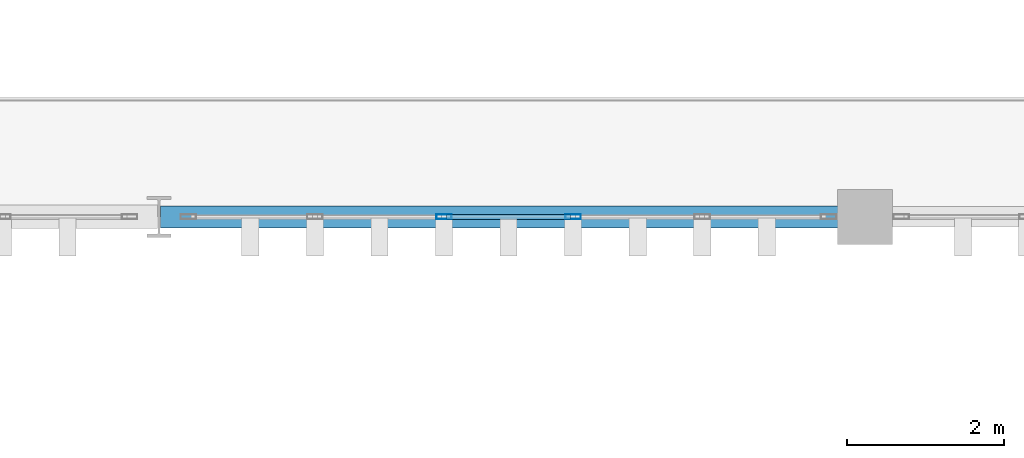
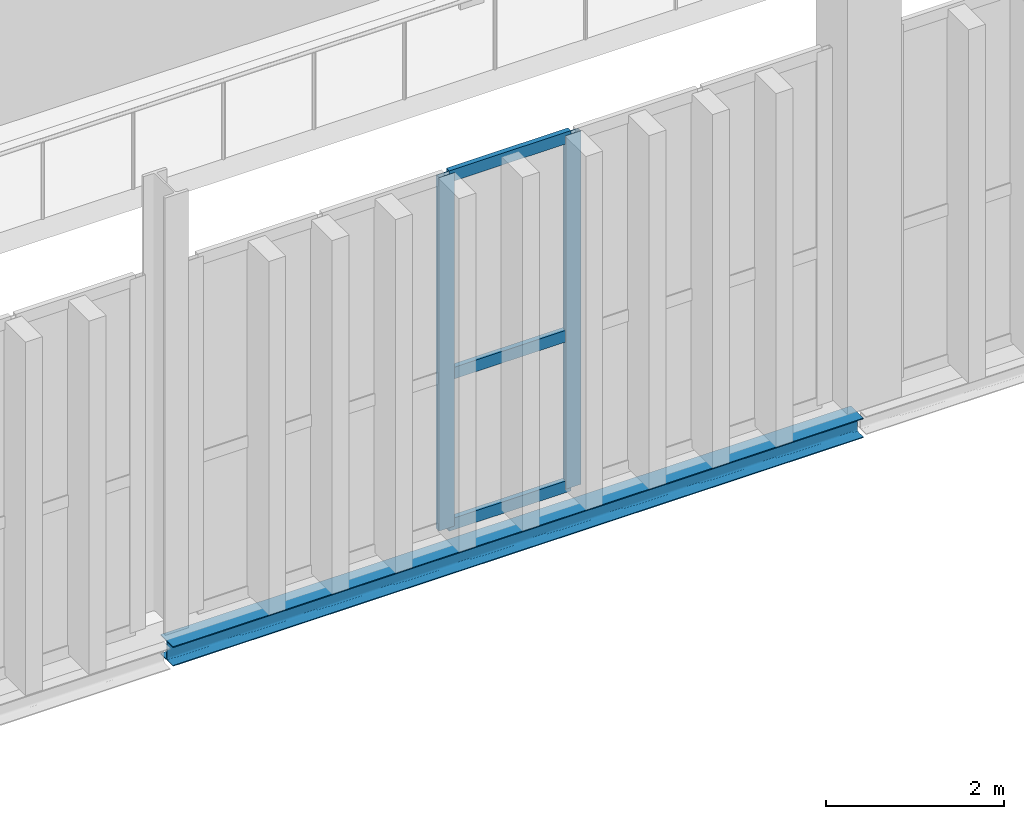
# One storey, part 81 of 237: 5 members, 1 beam, 1 element without a shape of its own.
"""IFC4 building model written with IfcOpenShell, lengths in metres."""

from ifc_helpers import new_model, si_unit, direction, frame, origin, origin_2d, place, context, subcontext, project, spatial, hollow_rectangle, i_section, extrude, material, layer, layer_set, material_profile, profile_set, type_object, element, aggregate, save


model = new_model("IFC4")

# Units and contexts
model_context = context("Model", 3, precision=1e-05, world=origin(), true_north=direction((0.0, 1.0)))
body_context = subcontext(model_context, "Body", "Model", "MODEL_VIEW")
ifc_project = project(units=[si_unit("LENGTHUNIT", "METRE"), si_unit("AREAUNIT", "SQUARE_METRE"), si_unit("VOLUMEUNIT", "CUBIC_METRE"), si_unit("PLANEANGLEUNIT", "RADIAN"), si_unit("MASSUNIT", "GRAM", prefix="KILO")], contexts=[model_context])

# Site, building, storey
site_placement = place(None, origin())
site = spatial("IfcSite", under=ifc_project, at=site_placement, CompositionType="ELEMENT")
building_placement = place(site_placement, origin())
building = spatial("IfcBuilding", under=site, at=building_placement, Name="Barlavento Convention Centre", CompositionType="ELEMENT")
storey_placement = place(building_placement, frame((0.0, 0.0, 12.0)))
storey = spatial("IfcBuildingStorey", under=building, at=storey_placement, Name="L02", CompositionType="ELEMENT", Elevation=12.0)

# Curtain wall, members
ifc_material_1 = material(Name="Powder-coated aluminium and Low-E glass", Category="aluminium")
ifc_layer = layer(ifc_material_1, 0.195068359375)
ifc_layer_set = layer_set([ifc_layer], Name="ARC-CW-BALL-L02")
curtain_wall_type = type_object("IfcCurtainWallType", Name="ARC-CW-BALL-L02", PredefinedType="NOTDEFINED", material=ifc_layer_set)
curtain_wall_placement = place(storey_placement, origin())
curtain_wall = element("IfcCurtainWall", 1, at=curtain_wall_placement, inside=storey, type_object=curtain_wall_type, Name="L02 unitised curtain wall CW07", PredefinedType="NOTDEFINED")
ifc_material_2 = material(Name="Powder-coated aluminium", Category="aluminium")
ifc_material_profile_1 = material_profile(ifc_material_2, hollow_rectangle(XDim=0.06494140625, YDim=0.199951171875, WallThickness=0.0048828125, at=origin_2d()), Name="AL-MULL 65x200x5")
ifc_profile_set_1 = profile_set([ifc_material_profile_1], Name="Powder-coated aluminium")
member_type_1 = type_object("IfcMemberType", Name="ARC-CWM-65X200", PredefinedType="MULLION", material=ifc_profile_set_1)
member_1_placement = place(storey_placement, frame((93.63330078125, 45.0, 0.0), z_axis=(0.0, 0.0, 1.0), x_axis=(0.0, 1.0, 0.0)))
member_1 = element("IfcMember", 2, at=member_1_placement, type_object=member_type_1, Name="CW07 mullion 3", PredefinedType="MULLION", context=body_context, shape_type="SweptSolid", body=[
    extrude(hollow_rectangle(XDim=0.06494140625, YDim=0.199951171875, WallThickness=0.0048828125, at=origin_2d()), origin(), (0.0, 0.0, 1.0), 4.85009765625),
])
member_2_placement = place(storey_placement, frame((95.27880859375, 45.0, 0.0), z_axis=(0.0, 0.0, 1.0), x_axis=(0.0, 1.0, 0.0)))
member_2 = element("IfcMember", 3, at=member_2_placement, type_object=member_type_1, Name="CW07 mullion 4", PredefinedType="MULLION", context=body_context, shape_type="SweptSolid", body=[
    extrude(hollow_rectangle(XDim=0.06494140625, YDim=0.199951171875, WallThickness=0.0048828125, at=origin_2d()), origin(), (0.0, 0.0, 1.0), 4.85009765625),
])
ifc_material_profile_2 = material_profile(ifc_material_2, hollow_rectangle(XDim=0.06494140625, YDim=0.159912109375, WallThickness=0.0048828125, at=origin_2d()), Name="AL-TRAN 65x160x5")
ifc_profile_set_2 = profile_set([ifc_material_profile_2], Name="Powder-coated aluminium")
member_type_2 = type_object("IfcMemberType", Name="ARC-CWT-65X160", PredefinedType="USERDEFINED", material=ifc_profile_set_2)
member_3_placement = place(storey_placement, frame((93.665771484375, 45.0, 0.032470703125), z_axis=(1.0, 0.0, 0.0), x_axis=(0.0, 1.0, 0.0)))
member_3 = element("IfcMember", 4, at=member_3_placement, type_object=member_type_2, Name="CW07 transom 3.1", ObjectType="TRANSOM", PredefinedType="USERDEFINED", context=body_context, shape_type="SweptSolid", body=[
    extrude(hollow_rectangle(XDim=0.06494140625, YDim=0.159912109375, WallThickness=0.0048828125, at=origin_2d()), origin(), (0.0, 0.0, 1.0), 1.58056640625),
])
member_4_placement = place(storey_placement, frame((93.665771484375, 45.0, 2.10009765625), z_axis=(1.0, 0.0, 0.0), x_axis=(0.0, 1.0, 0.0)))
member_4 = element("IfcMember", 5, at=member_4_placement, type_object=member_type_2, Name="CW07 transom 3.2", ObjectType="TRANSOM", PredefinedType="USERDEFINED", context=body_context, shape_type="SweptSolid", body=[
    extrude(hollow_rectangle(XDim=0.06494140625, YDim=0.159912109375, WallThickness=0.0048828125, at=origin_2d()), origin(), (0.0, 0.0, 1.0), 1.58056640625),
])
member_5_placement = place(storey_placement, frame((93.665771484375, 45.0, 4.8173828125), z_axis=(1.0, 0.0, 0.0), x_axis=(0.0, 1.0, 0.0)))
member_5 = element("IfcMember", 6, at=member_5_placement, type_object=member_type_2, Name="CW07 transom 3.3", ObjectType="TRANSOM", PredefinedType="USERDEFINED", context=body_context, shape_type="SweptSolid", body=[
    extrude(hollow_rectangle(XDim=0.06494140625, YDim=0.159912109375, WallThickness=0.0048828125, at=origin_2d()), origin(), (0.0, 0.0, 1.0), 1.58056640625),
])
aggregate(curtain_wall, [member_1, member_2, member_3, member_4, member_5])

# Beam
ifc_material_3 = material(Name="Steel S355", Category="steel")
ifc_material_profile_3 = material_profile(ifc_material_3, i_section(OverallWidth=0.280029296875, OverallDepth=0.27001953125, WebThickness=0.008056640625, FlangeThickness=0.012939453125, FilletRadius=0.02392578125, at=origin_2d()), Name="HEA 280")
ifc_profile_set_3 = profile_set([ifc_material_profile_3], Name="Steel S355")
beam_type = type_object("IfcBeamType", Name="STR-BM-SPN-HEA280", PredefinedType="SPANDREL", material=ifc_profile_set_3)
beam_placement = place(storey_placement, frame((90.02001953125, 45.0, -0.425048828125), z_axis=(1.0, 0.0, 0.0), x_axis=(0.0, 1.0, 0.0)))
element("IfcBeam", 7, at=beam_placement, inside=storey, type_object=beam_type, Name="L02 primary girder SP03", PredefinedType="SPANDREL", context=body_context, shape_type="SweptSolid", body=[
    extrude(i_section(OverallWidth=0.280029296875, OverallDepth=0.27001953125, WebThickness=0.008056640625, FlangeThickness=0.012939453125, FilletRadius=0.02392578125, at=origin_2d()), origin(), (0.0, 0.0, 1.0), 8.9599609375),
])

save(model, "model.ifc")
